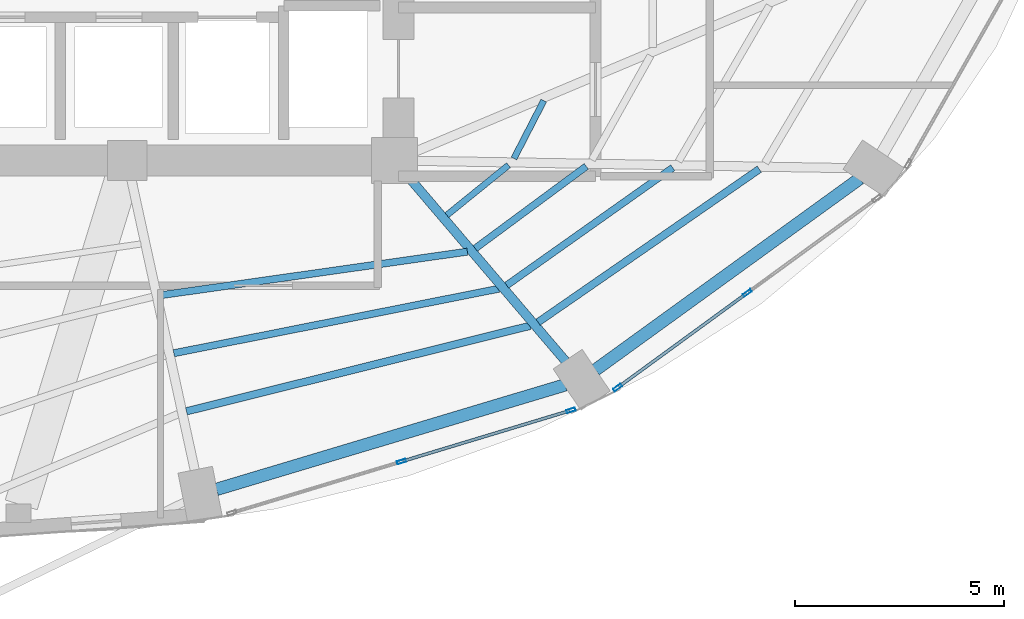
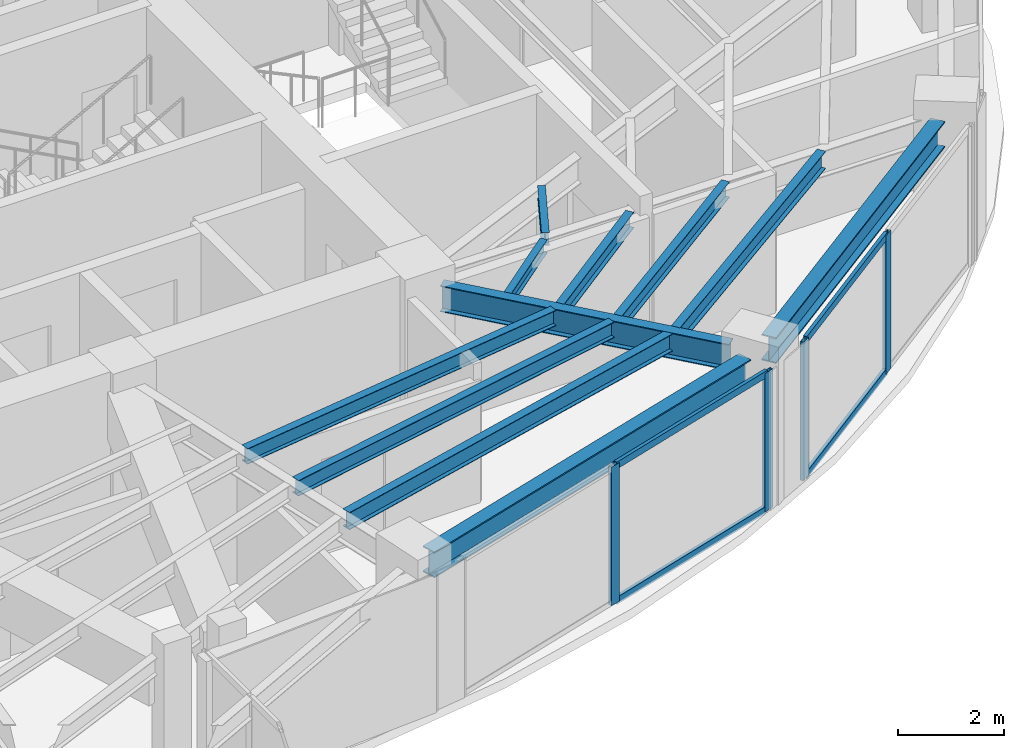
# One storey, part 10 of 24: 11 beams, 8 members, 2 elements without a shape of their own.
"""IFC4 building model written with IfcOpenShell, lengths in metres."""

from ifc_helpers import new_model, si_unit, direction, frame, origin, origin_2d, place, context, subcontext, project, spatial, hollow_rectangle, i_section, extrude, material, layer, layer_set, material_profile, profile_set, type_object, element, aggregate, save


model = new_model("IFC4")

# Units and contexts
model_context = context("Model", 3, precision=1e-05, world=origin(), true_north=direction((0.0, 1.0)))
body_context = subcontext(model_context, "Body", "Model", "MODEL_VIEW")
ifc_project = project(units=[si_unit("LENGTHUNIT", "METRE"), si_unit("AREAUNIT", "SQUARE_METRE"), si_unit("VOLUMEUNIT", "CUBIC_METRE"), si_unit("PLANEANGLEUNIT", "RADIAN"), si_unit("MASSUNIT", "GRAM", prefix="KILO")], contexts=[model_context])

# Site, building, storey
site_placement = place(None, origin())
site = spatial("IfcSite", under=ifc_project, at=site_placement, CompositionType="ELEMENT")
building_placement = place(site_placement, origin())
building = spatial("IfcBuilding", under=site, at=building_placement, Name="Lazwardi Medical Tower", CompositionType="ELEMENT")
storey_placement = place(building_placement, frame((0.0, 0.0, 129.16796875)))
storey = spatial("IfcBuildingStorey", under=building, at=storey_placement, Name="L33", CompositionType="ELEMENT", Elevation=129.16796875)

# Beams
ifc_material_1 = material(Name="Steel S355", Category="steel")
ifc_material_profile_1 = material_profile(ifc_material_1, i_section(OverallWidth=0.300048828125, OverallDepth=0.60009765625, WebThickness=0.015380859375, FlangeThickness=0.030029296875, at=origin_2d()), Name="HEB 600")
ifc_profile_set_1 = profile_set([ifc_material_profile_1], Name="Steel S355")
beam_type_1 = type_object("IfcBeamType", Name="BM-RB-Z2", PredefinedType="BEAM", material=ifc_profile_set_1)
beam_1_placement = place(storey_placement, frame((41.338134765625, 12.5205078125, 2.89794921875), z_axis=(0.957879438442, 0.287170648587, 0.0), x_axis=(-0.287170648587, 0.957879438442, 0.0)))
element("IfcBeam", 1, at=beam_1_placement, inside=storey, type_object=beam_type_1, Name="Ring beam RB-03 B01 L33", PredefinedType="BEAM", context=body_context, shape_type="SweptSolid", body=[
    extrude(i_section(OverallWidth=0.300048828125, OverallDepth=0.60009765625, WebThickness=0.015380859375, FlangeThickness=0.030029296875, at=origin_2d()), origin(), (0.0, 0.0, 1.0), 8.719970703125),
])
beam_2_placement = place(storey_placement, frame((50.415771484375, 15.3828125, 2.89794921875), z_axis=(0.810041907649, 0.586371987609, 0.0), x_axis=(-0.586371987609, 0.810041907649, 0.0)))
element("IfcBeam", 2, at=beam_2_placement, inside=storey, type_object=beam_type_1, Name="Ring beam RB-03 B02 L33", PredefinedType="BEAM", context=body_context, shape_type="SweptSolid", body=[
    extrude(i_section(OverallWidth=0.300048828125, OverallDepth=0.60009765625, WebThickness=0.015380859375, FlangeThickness=0.030029296875, at=origin_2d()), origin(), (0.0, 0.0, 1.0), 7.814208984375),
])
ifc_material_profile_2 = material_profile(ifc_material_1, i_section(OverallWidth=0.219970703125, OverallDepth=0.60009765625, WebThickness=0.011962890625, FlangeThickness=0.01904296875, at=origin_2d()), Name="IPE 600")
ifc_profile_set_2 = profile_set([ifc_material_profile_2], Name="Steel S355")
beam_type_2 = type_object("IfcBeamType", Name="BM-RG-W1", PredefinedType="BEAM", material=ifc_profile_set_2)
beam_3_placement = place(storey_placement, frame((49.707275390625, 15.583740234375, 2.89794921875), z_axis=(-0.648870567436, 0.760898801889, 0.0), x_axis=(-0.760898801889, -0.648870567436, 0.0)))
element("IfcBeam", 3, at=beam_3_placement, inside=storey, type_object=beam_type_2, Name="Radial girder RG-02 R02 L33", PredefinedType="BEAM", context=body_context, shape_type="SweptSolid", body=[
    extrude(i_section(OverallWidth=0.219970703125, OverallDepth=0.60009765625, WebThickness=0.011962890625, FlangeThickness=0.01904296875, at=origin_2d()), origin(), (0.0, 0.0, 1.0), 5.794677734375),
])
ifc_material_profile_3 = material_profile(ifc_material_1, i_section(OverallWidth=0.179931640625, OverallDepth=0.39990234375, WebThickness=0.008544921875, FlangeThickness=0.013427734375, at=origin_2d()), Name="IPE 400")
ifc_profile_set_3 = profile_set([ifc_material_profile_3], Name="Steel S355")
beam_type_3 = type_object("IfcBeamType", Name="BM-SJ-01", PredefinedType="JOIST", material=ifc_profile_set_3)
beam_4_placement = place(storey_placement, frame((40.618896484375, 14.390869140625, 2.998046875), z_axis=(0.970400881943, 0.241499748081, 0.0), x_axis=(-0.241499748081, 0.970400881943, 0.0)))
element("IfcBeam", 4, at=beam_4_placement, inside=storey, type_object=beam_type_3, Name="Secondary joist SJ-01 R1 B01 L33", PredefinedType="JOIST", context=body_context, shape_type="SweptSolid", body=[
    extrude(i_section(OverallWidth=0.179931640625, OverallDepth=0.39990234375, WebThickness=0.008544921875, FlangeThickness=0.013427734375, at=origin_2d()), origin(), (0.0, 0.0, 1.0), 8.48583984375),
])
beam_5_placement = place(storey_placement, frame((49.04150390625, 16.525390625, 2.998046875), z_axis=(0.822376339068, 0.568943896128, 0.0), x_axis=(-0.568943896128, 0.822376339068, 0.0)))
element("IfcBeam", 5, at=beam_5_placement, inside=storey, type_object=beam_type_3, Name="Secondary joist SJ-01 R1 B02 L33", PredefinedType="JOIST", context=body_context, shape_type="SweptSolid", body=[
    extrude(i_section(OverallWidth=0.179931640625, OverallDepth=0.39990234375, WebThickness=0.008544921875, FlangeThickness=0.013427734375, at=origin_2d()), origin(), (0.0, 0.0, 1.0), 6.44189453125),
])
ifc_material_profile_4 = material_profile(ifc_material_1, i_section(OverallWidth=0.169921875, OverallDepth=0.360107421875, WebThickness=0.008056640625, FlangeThickness=0.0126953125, at=origin_2d()), Name="IPE 360")
ifc_profile_set_4 = profile_set([ifc_material_profile_4], Name="Steel S355")
beam_type_4 = type_object("IfcBeamType", Name="BM-SJ-02", PredefinedType="JOIST", material=ifc_profile_set_4)
beam_6_placement = place(storey_placement, frame((40.315185546875, 15.7822265625, 3.01806640625), z_axis=(0.980878853282, 0.194619308352, 0.0), x_axis=(-0.194619308352, 0.980878853282, 0.0)))
element("IfcBeam", 6, at=beam_6_placement, inside=storey, type_object=beam_type_4, Name="Secondary joist SJ-02 R2 B01 L33", PredefinedType="JOIST", context=body_context, shape_type="SweptSolid", body=[
    extrude(i_section(OverallWidth=0.169921875, OverallDepth=0.360107421875, WebThickness=0.008056640625, FlangeThickness=0.0126953125, at=origin_2d()), origin(), (0.0, 0.0, 1.0), 7.93701171875),
])
beam_7_placement = place(storey_placement, frame((48.2890625, 17.408203125, 3.01806640625), z_axis=(0.816156371539, 0.577831097464, 0.0), x_axis=(-0.577831097464, 0.816156371539, 0.0)))
element("IfcBeam", 7, at=beam_7_placement, inside=storey, type_object=beam_type_4, Name="Secondary joist SJ-02 R2 B02 L33", PredefinedType="JOIST", context=body_context, shape_type="SweptSolid", body=[
    extrude(i_section(OverallWidth=0.169921875, OverallDepth=0.360107421875, WebThickness=0.008056640625, FlangeThickness=0.0126953125, at=origin_2d()), origin(), (0.0, 0.0, 1.0), 4.8740234375),
])
beam_8_placement = place(storey_placement, frame((40.011474609375, 17.1728515625, 3.01806640625), z_axis=(0.990067108571, 0.140595592128, 0.0), x_axis=(-0.140595592128, 0.990067108571, 0.0)))
element("IfcBeam", 8, at=beam_8_placement, inside=storey, type_object=beam_type_4, Name="Secondary joist SJ-02 R3 B01 L33", PredefinedType="JOIST", context=body_context, shape_type="SweptSolid", body=[
    extrude(i_section(OverallWidth=0.169921875, OverallDepth=0.360107421875, WebThickness=0.008056640625, FlangeThickness=0.0126953125, at=origin_2d()), origin(), (0.0, 0.0, 1.0), 7.409423828125),
])
beam_9_placement = place(storey_placement, frame((47.53564453125, 18.291748046875, 3.01806640625), z_axis=(0.804125525058, 0.594459536008, 0.0), x_axis=(-0.594459536008, 0.804125525058, 0.0)))
element("IfcBeam", 9, at=beam_9_placement, inside=storey, type_object=beam_type_4, Name="Secondary joist SJ-02 R3 B02 L33", PredefinedType="JOIST", context=body_context, shape_type="SweptSolid", body=[
    extrude(i_section(OverallWidth=0.169921875, OverallDepth=0.360107421875, WebThickness=0.008056640625, FlangeThickness=0.0126953125, at=origin_2d()), origin(), (0.0, 0.0, 1.0), 3.30810546875),
])
ifc_material_profile_5 = material_profile(ifc_material_1, i_section(OverallWidth=0.14990234375, OverallDepth=0.300048828125, WebThickness=0.007080078125, FlangeThickness=0.0107421875, at=origin_2d()), Name="IPE 300")
ifc_profile_set_5 = profile_set([ifc_material_profile_5], Name="Steel S355")
beam_type_5 = type_object("IfcBeamType", Name="BM-SJ-03", PredefinedType="JOIST", material=ifc_profile_set_5)
beam_10_placement = place(storey_placement, frame((46.85595703125, 19.089111328125, 3.048095703125), z_axis=(0.77695773322, 0.629552762515, 0.0), x_axis=(-0.629552762515, 0.77695773322, 0.0)))
element("IfcBeam", 10, at=beam_10_placement, inside=storey, type_object=beam_type_5, Name="Secondary joist SJ-03 R4 B02 L33", PredefinedType="JOIST", context=body_context, shape_type="SweptSolid", body=[
    extrude(i_section(OverallWidth=0.14990234375, OverallDepth=0.300048828125, WebThickness=0.007080078125, FlangeThickness=0.0107421875, at=origin_2d()), origin(), (0.0, 0.0, 1.0), 1.9013671875),
])
beam_11_placement = place(storey_placement, frame((48.462890625, 20.445556640625, 3.048095703125), z_axis=(0.457956589674, 0.888974556427, 0.0), x_axis=(-0.888974556427, 0.457956589674, 0.0)))
element("IfcBeam", 11, at=beam_11_placement, inside=storey, type_object=beam_type_5, Name="Secondary joist SJ-03 R4 B03 L33", PredefinedType="JOIST", context=body_context, shape_type="SweptSolid", body=[
    extrude(i_section(OverallWidth=0.14990234375, OverallDepth=0.300048828125, WebThickness=0.007080078125, FlangeThickness=0.0107421875, at=origin_2d()), origin(), (0.0, 0.0, 1.0), 1.558837890625),
])

# Curtain wall, members
ifc_material_2 = material(Name="Anodised bronze aluminium and solar control glazing", Category="aluminium")
ifc_layer = layer(ifc_material_2, 0.195068359375)
ifc_layer_set = layer_set([ifc_layer], Name="Anodised bronze aluminium and solar control glazing")
curtain_wall_type = type_object("IfcCurtainWallType", Name="CW-SYS-03", PredefinedType="NOTDEFINED", material=ifc_layer_set)
curtain_wall_1_placement = place(storey_placement, origin())
curtain_wall_1 = element("IfcCurtainWall", 12, at=curtain_wall_1_placement, inside=storey, type_object=curtain_wall_type, Name="L33 Unitised bronze curtain wall CW-03", PredefinedType="NOTDEFINED")
ifc_material_3 = material(Name="Anodised bronze aluminium", Category="aluminium")
ifc_material_profile_6 = material_profile(ifc_material_3, hollow_rectangle(XDim=0.074951171875, YDim=0.219970703125, WallThickness=0.00390625, at=origin_2d()), Name="ALU-MULLION 220x75x4")
ifc_profile_set_6 = profile_set([ifc_material_profile_6], Name="Anodised bronze aluminium")
member_type_1 = type_object("IfcMemberType", Name="CW-MUL-01", PredefinedType="MULLION", material=ifc_profile_set_6)
member_1_placement = place(storey_placement, frame((45.769287109375, 13.18701171875, 0.0), z_axis=(0.0, 0.0, 1.0), x_axis=(-0.28937381157, 0.957216170558, 0.0)))
member_1 = element("IfcMember", 13, at=member_1_placement, type_object=member_type_1, Name="CW-03 mullion 2", PredefinedType="MULLION", context=body_context, shape_type="SweptSolid", body=[
    extrude(hollow_rectangle(XDim=0.074951171875, YDim=0.219970703125, WallThickness=0.00390625, at=origin_2d()), origin(), (0.0, 0.0, 1.0), 3.197998046875),
])
member_2_placement = place(storey_placement, frame((49.828369140625, 14.4140625, 0.0), z_axis=(0.0, 0.0, 1.0), x_axis=(-0.28937381157, 0.957216170558, 0.0)))
member_2 = element("IfcMember", 14, at=member_2_placement, type_object=member_type_1, Name="CW-03 mullion 3", PredefinedType="MULLION", context=body_context, shape_type="SweptSolid", body=[
    extrude(hollow_rectangle(XDim=0.074951171875, YDim=0.219970703125, WallThickness=0.00390625, at=origin_2d()), origin(), (0.0, 0.0, 1.0), 3.197998046875),
])

curtain_wall_2_placement = place(storey_placement, origin())
curtain_wall_2 = element("IfcCurtainWall", 15, at=curtain_wall_2_placement, inside=storey, type_object=curtain_wall_type, Name="L33 Unitised bronze curtain wall CW-03", PredefinedType="NOTDEFINED")
member_3_placement = place(storey_placement, frame((50.947265625, 14.96044921875, 0.0), z_axis=(0.0, 0.0, 1.0), x_axis=(-0.589530882802, 0.807745837639, 0.0)))
member_3 = element("IfcMember", 16, at=member_3_placement, type_object=member_type_1, Name="CW-03 mullion 1", PredefinedType="MULLION", context=body_context, shape_type="SweptSolid", body=[
    extrude(hollow_rectangle(XDim=0.074951171875, YDim=0.219970703125, WallThickness=0.00390625, at=origin_2d()), origin(), (0.0, 0.0, 1.0), 3.197998046875),
])
member_4_placement = place(storey_placement, frame((54.051025390625, 17.225830078125, 0.0), z_axis=(0.0, 0.0, 1.0), x_axis=(-0.589530882802, 0.807745837639, 0.0)))
member_4 = element("IfcMember", 17, at=member_4_placement, type_object=member_type_1, Name="CW-03 mullion 2", PredefinedType="MULLION", context=body_context, shape_type="SweptSolid", body=[
    extrude(hollow_rectangle(XDim=0.074951171875, YDim=0.219970703125, WallThickness=0.00390625, at=origin_2d()), origin(), (0.0, 0.0, 1.0), 3.197998046875),
])

# Member
ifc_material_profile_7 = material_profile(ifc_material_3, hollow_rectangle(XDim=0.074951171875, YDim=0.159912109375, WallThickness=0.00390625, at=origin_2d()), Name="ALU-TRANSOM 160x75x4")
ifc_profile_set_7 = profile_set([ifc_material_profile_7], Name="Anodised bronze aluminium")
member_type_2 = type_object("IfcMemberType", Name="CW-TRN-01", PredefinedType="USERDEFINED", material=ifc_profile_set_7)
member_5_placement = place(storey_placement, frame((45.80517578125, 13.19775390625, 0.03759765625), z_axis=(0.957220865985, 0.289358279168, 0.0), x_axis=(-0.289358279168, 0.957220865985, 0.0)))
member_5 = element("IfcMember", 18, at=member_5_placement, type_object=member_type_2, Name="CW-03 transom 2.1", ObjectType="TRANSOM", PredefinedType="USERDEFINED", context=body_context, shape_type="SweptSolid", body=[
    extrude(hollow_rectangle(XDim=0.074951171875, YDim=0.159912109375, WallThickness=0.00390625, at=origin_2d()), origin(), (0.0, 0.0, 1.0), 4.16552734375),
])

member_6_placement = place(storey_placement, frame((45.80517578125, 13.19775390625, 3.16064453125), z_axis=(0.957220865985, 0.289358279168, 0.0), x_axis=(-0.289358279168, 0.957220865985, 0.0)))
member_6 = element("IfcMember", 19, at=member_6_placement, type_object=member_type_2, Name="CW-03 transom 2.2", ObjectType="TRANSOM", PredefinedType="USERDEFINED", context=body_context, shape_type="SweptSolid", body=[
    extrude(hollow_rectangle(XDim=0.074951171875, YDim=0.159912109375, WallThickness=0.00390625, at=origin_2d()), origin(), (0.0, 0.0, 1.0), 4.16552734375),
])

aggregate(curtain_wall_1, [member_1, member_2, member_5, member_6])

member_7_placement = place(storey_placement, frame((50.9775390625, 14.982421875, 0.03759765625), z_axis=(0.807731734271, 0.589550206049, 0.0), x_axis=(-0.589550206049, 0.807731734271, 0.0)))
member_7 = element("IfcMember", 20, at=member_7_placement, type_object=member_type_2, Name="CW-03 transom 1.1", ObjectType="TRANSOM", PredefinedType="USERDEFINED", context=body_context, shape_type="SweptSolid", body=[
    extrude(hollow_rectangle(XDim=0.074951171875, YDim=0.159912109375, WallThickness=0.00390625, at=origin_2d()), origin(), (0.0, 0.0, 1.0), 3.767578125),
])

member_8_placement = place(storey_placement, frame((50.9775390625, 14.982421875, 3.16064453125), z_axis=(0.807731734271, 0.589550206049, 0.0), x_axis=(-0.589550206049, 0.807731734271, 0.0)))
member_8 = element("IfcMember", 21, at=member_8_placement, type_object=member_type_2, Name="CW-03 transom 1.2", ObjectType="TRANSOM", PredefinedType="USERDEFINED", context=body_context, shape_type="SweptSolid", body=[
    extrude(hollow_rectangle(XDim=0.074951171875, YDim=0.159912109375, WallThickness=0.00390625, at=origin_2d()), origin(), (0.0, 0.0, 1.0), 3.767578125),
])

aggregate(curtain_wall_2, [member_3, member_4, member_7, member_8])

save(model, "model.ifc")
